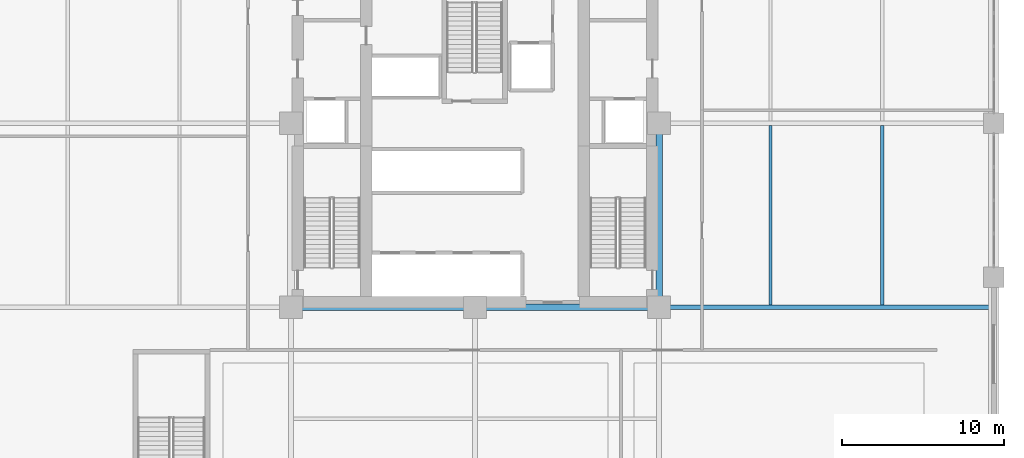
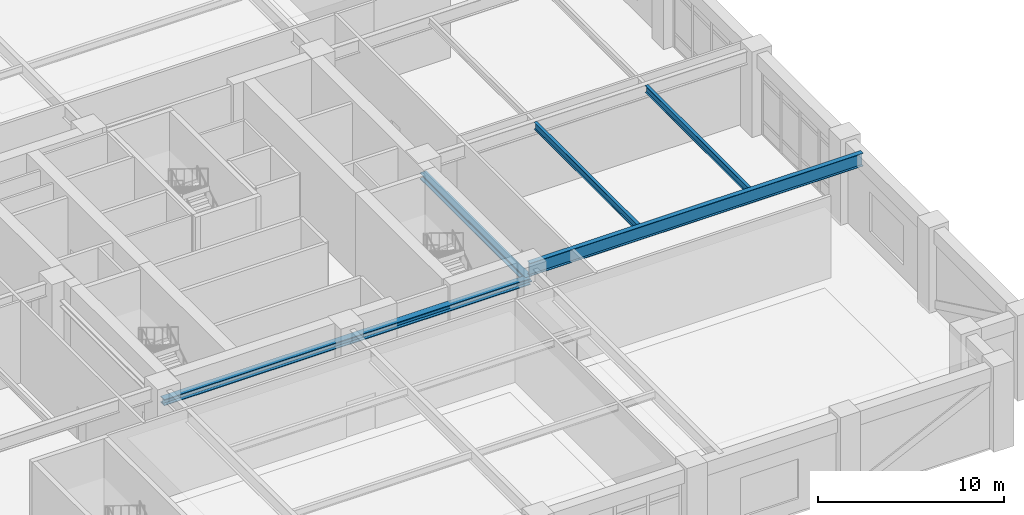
# One storey, part 5 of 21: 3 beams, 2 members.
"""IFC4 building model written with IfcOpenShell, lengths in metres."""

from ifc_helpers import new_model, si_unit, direction, frame, origin, origin_2d, place, context, subcontext, project, spatial, i_section, extrude, material, material_profile, profile_set, type_object, element, save


model = new_model("IFC4")

# Units and contexts
model_context = context("Model", 3, precision=1e-05, world=origin(), true_north=direction((0.0, 1.0)))
body_context = subcontext(model_context, "Body", "Model", "MODEL_VIEW")
ifc_project = project(units=[si_unit("LENGTHUNIT", "METRE"), si_unit("AREAUNIT", "SQUARE_METRE"), si_unit("VOLUMEUNIT", "CUBIC_METRE"), si_unit("PLANEANGLEUNIT", "RADIAN"), si_unit("MASSUNIT", "GRAM", prefix="KILO")], contexts=[model_context])

# Site, building, storey
site_placement = place(None, origin())
site = spatial("IfcSite", under=ifc_project, at=site_placement, CompositionType="ELEMENT")
building_placement = place(site_placement, origin())
building = spatial("IfcBuilding", under=site, at=building_placement, Name="Nhamokura Convention Tower", CompositionType="ELEMENT")
storey_placement = place(building_placement, frame((0.0, 0.0, 12.25)))
storey = spatial("IfcBuildingStorey", under=building, at=storey_placement, Name="L02", CompositionType="ELEMENT", Elevation=12.25)

# Beams
ifc_material_1 = material(Name="Steel ASTM A992 Gr 50", Category="steel")
ifc_material_profile_1 = material_profile(ifc_material_1, i_section(OverallWidth=0.19189453125, OverallDepth=0.462890625, WebThickness=0.010498046875, FlangeThickness=0.017578125, at=origin_2d()))
ifc_profile_set_1 = profile_set([ifc_material_profile_1], Name="Steel ASTM A992 Gr 50")
beam_type_1 = type_object("IfcBeamType", Name="FloorJoist_W460X89", PredefinedType="JOIST", material=ifc_profile_set_1)
for number, where, z_axis, x_axis, name in (
    (1, (50.2333984375, 20.794921875, 5.12841796875), (0.0, 1.0, 0.0), (-1.0, 0.0, 0.0), "L02 Composite Floor Joist E1A"),
    (2, (57.11669921875, 20.794921875, 5.12841796875), (0.0, 1.0, 0.0), (-1.0, 0.0, 0.0), "L02 Composite Floor Joist E2A"),
):
    element("IfcBeam", number, at=place(storey_placement, frame(where, z_axis=z_axis, x_axis=x_axis)), inside=storey, type_object=beam_type_1, Name=name, PredefinedType="JOIST", context=body_context, shape_type="SweptSolid", body=[
        extrude(i_section(OverallWidth=0.19189453125, OverallDepth=0.462890625, WebThickness=0.010498046875, FlangeThickness=0.017578125, at=origin_2d()), origin(), (0.0, 0.0, 1.0), 11.06005859375),
    ])
ifc_material_2 = material(Name="Steel ASTM A992 Gr 50", Category="steel")
ifc_material_profile_2 = material_profile(ifc_material_2, i_section(OverallWidth=0.2939453125, OverallDepth=0.85107421875, WebThickness=0.01611328125, FlangeThickness=0.02685546875, at=origin_2d()))
ifc_profile_set_2 = profile_set([ifc_material_profile_2], Name="Steel ASTM A992 Gr 50")
beam_type_2 = type_object("IfcBeamType", Name="HallGirder_W840X226", PredefinedType="BEAM", material=ifc_profile_set_2)
beam_placement = place(storey_placement, frame((43.35009765625, 20.64990234375, 4.9345703125), z_axis=(1.0, 0.0, 0.0), x_axis=(0.0, 1.0, 0.0)))
element("IfcBeam", 3, at=beam_placement, inside=storey, type_object=beam_type_2, Name="L02 Primary Floor Girder PG-E1", PredefinedType="BEAM", context=body_context, shape_type="SweptSolid", body=[
    extrude(i_section(OverallWidth=0.2939453125, OverallDepth=0.85107421875, WebThickness=0.01611328125, FlangeThickness=0.02685546875, at=origin_2d()), origin(), (0.0, 0.0, 1.0), 20.64990234375),
])

# Members
ifc_material_3 = material(Name="Steel ASTM A572 Gr 50", Category="steel")
ifc_material_profile_3 = material_profile(ifc_material_3, i_section(OverallWidth=0.404052734375, OverallDepth=0.406982421875, WebThickness=0.027099609375, FlangeThickness=0.043701171875, at=origin_2d()))
ifc_profile_set_3 = profile_set([ifc_material_profile_3], Name="Steel ASTM A572 Gr 50")
member_type = type_object("IfcMemberType", Name="HallTrussChord_W360X347", PredefinedType="CHORD", material=ifc_profile_set_3)
member_1_placement = place(storey_placement, frame((20.64990234375, 20.64990234375, 4.2099609375), z_axis=(1.0, 0.0, 0.0), x_axis=(0.0, 1.0, 0.0)))
element("IfcMember", 4, at=member_1_placement, inside=storey, type_object=member_type, Name="L02 Convention Hall Truss Chord HTC-S", PredefinedType="CHORD", context=body_context, shape_type="SweptSolid", body=[
    extrude(i_section(OverallWidth=0.404052734375, OverallDepth=0.406982421875, WebThickness=0.027099609375, FlangeThickness=0.043701171875, at=origin_2d()), origin(), (0.0, 0.0, 1.0), 22.7001953125),
])
member_2_placement = place(storey_placement, frame((43.35009765625, 20.64990234375, 4.2099609375), z_axis=(0.0, 1.0, 0.0), x_axis=(-1.0, 0.0, 0.0)))
element("IfcMember", 5, at=member_2_placement, inside=storey, type_object=member_type, Name="L02 Convention Hall Truss Chord HTC-E", PredefinedType="CHORD", context=body_context, shape_type="SweptSolid", body=[
    extrude(i_section(OverallWidth=0.404052734375, OverallDepth=0.406982421875, WebThickness=0.027099609375, FlangeThickness=0.043701171875, at=origin_2d()), origin(), (0.0, 0.0, 1.0), 11.35009765625),
])

save(model, "model.ifc")
